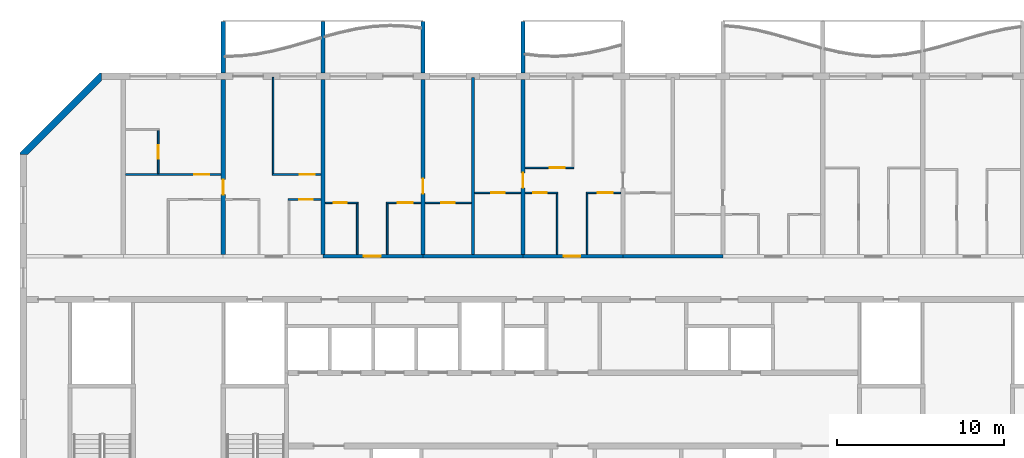
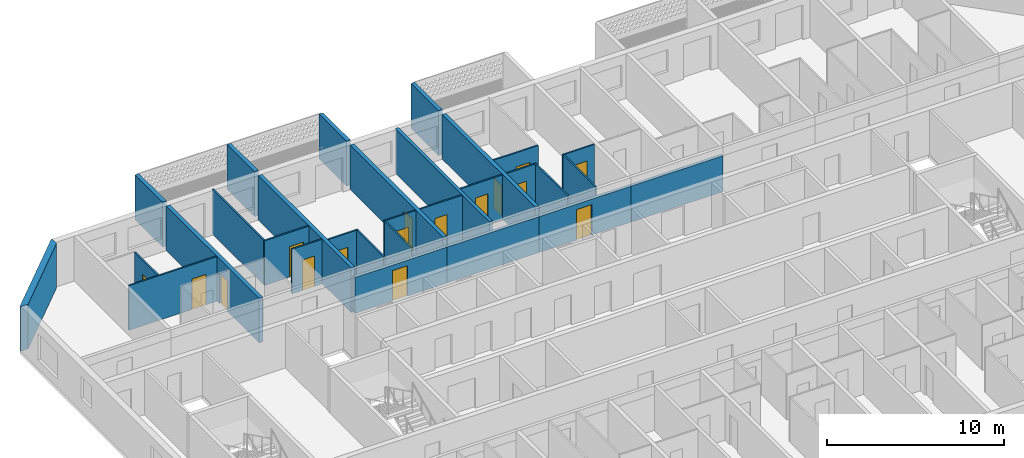
# One storey, part 8 of 26: 30 walls, 16 doors, 16 openings.
"""IFC4 building model written with IfcOpenShell, lengths in metres."""

from ifc_helpers import new_model, si_unit, direction, frame, frame_2d, origin, place, context, subcontext, project, spatial, polyline, rectangle, outline, extrude, source, transform, mapped, material, layer, layer_set, type_object, element, fill, save


model = new_model("IFC4")

# Units and contexts
model_context = context("Model", 3, precision=1e-05, world=origin(), true_north=direction((0.0, 1.0)))
body_context = subcontext(model_context, "Body", "Model", "MODEL_VIEW")
ifc_project = project(units=[si_unit("LENGTHUNIT", "METRE"), si_unit("AREAUNIT", "SQUARE_METRE"), si_unit("VOLUMEUNIT", "CUBIC_METRE"), si_unit("PLANEANGLEUNIT", "RADIAN"), si_unit("MASSUNIT", "GRAM", prefix="KILO")], contexts=[model_context])

# Site, building, storey
site_placement = place(None, origin())
site = spatial("IfcSite", under=ifc_project, at=site_placement, CompositionType="ELEMENT")
building_placement = place(site_placement, origin())
building = spatial("IfcBuilding", under=site, at=building_placement, Name="Poui Terraces", CompositionType="ELEMENT")
storey_placement = place(building_placement, frame((0.0, 0.0, 224.699951171875)))
storey = spatial("IfcBuildingStorey", under=building, at=storey_placement, Name="L62", CompositionType="ELEMENT", Elevation=224.699951171875)

# Wall, opening, door
ifc_material_1 = material(Name="Concrete 50 MPa", Category="concrete")
ifc_layer_1 = layer(ifc_material_1, 0.199951171875)
ifc_layer_set_1 = layer_set([ifc_layer_1], Name="Concrete 50 MPa")
wall_type_1 = type_object("IfcWallType", Name="CORRIDOR WALL 200 50MPa", PredefinedType="SHEAR", material=ifc_layer_set_1)
wall_1_placement = place(storey_placement, frame((36.0, 30.39990234375, 0.0), z_axis=(0.0, 0.0, 1.0), x_axis=(1.0, 0.0, 0.0)))
wall_1 = element("IfcWall", 1, at=wall_1_placement, inside=storey, type_object=wall_type_1, Name="CORRIDOR WALL LINE E BAY 4", PredefinedType="SHEAR", context=body_context, shape_type="SweptSolid", body=[
    extrude(rectangle(XDim=6.0, YDim=0.199951171875, at=frame_2d((3.0, 0.0))), origin(), (0.0, 0.0, 1.0), 2.47998046875),
])
opening_1_placement = place(wall_1_placement, frame((2.449951171875, 0.0, 0.0)))
opening_1 = element("IfcOpeningElement", 2, at=opening_1_placement, cuts=wall_1, Name="Opening FD30S", PredefinedType="OPENING", context=body_context, shape_type="SweptSolid", body=[
    extrude(rectangle(XDim=1.0, YDim=2.10009765625, at=frame_2d((0.5, 1.050048828125))), frame((0.0, 0.10986328125, 0.0), z_axis=(0.0, -1.0, 0.0), x_axis=(1.0, 0.0, 0.0)), (0.0, 0.0, 1.0), 0.219970703125),
])
ifc_material_2 = material(Name="Steel fire door", Category="steel")
door_type_1 = type_object("IfcDoorType", Name="FLAT ENTRANCE DOOR 1000 X 2100", OperationType="NOTDEFINED", PredefinedType="DOOR", material=ifc_material_2)
door_1_placement = place(opening_1_placement, origin())
door_1 = element("IfcDoor", 3, at=door_1_placement, inside=storey, type_object=door_type_1, Name="FLAT ENTRANCE DOOR 035", OperationType="SINGLE_SWING_LEFT", OverallHeight=2.10009765625, OverallWidth=1.0, PredefinedType="DOOR", context=body_context, shape_type="SweptSolid", body=[
    extrude(rectangle(XDim=1.0, YDim=2.10009765625, at=frame_2d((0.5, 1.050048828125))), frame((0.0, 0.02490234375, 0.0), z_axis=(0.0, -1.0, 0.0), x_axis=(1.0, 0.0, 0.0)), (0.0, 0.0, 1.0), 0.050048828125),
])
fill(opening_1, door_1)

# Wall
wall_2_placement = place(storey_placement, frame((42.0, 30.39990234375, 0.0), z_axis=(0.0, 0.0, 1.0), x_axis=(1.0, 0.0, 0.0)))
element("IfcWall", 4, at=wall_2_placement, inside=storey, type_object=wall_type_1, Name="CORRIDOR WALL LINE E BAY 5", PredefinedType="SHEAR", context=body_context, shape_type="SweptSolid", body=[
    extrude(rectangle(XDim=6.0, YDim=0.199951171875, at=frame_2d((3.0, 0.0))), origin(), (0.0, 0.0, 1.0), 2.47998046875),
])

# Wall, opening, door
wall_3_placement = place(storey_placement, frame((48.0, 30.39990234375, 0.0), z_axis=(0.0, 0.0, 1.0), x_axis=(1.0, 0.0, 0.0)))
wall_3 = element("IfcWall", 5, at=wall_3_placement, inside=storey, type_object=wall_type_1, Name="CORRIDOR WALL LINE E BAY 6", PredefinedType="SHEAR", context=body_context, shape_type="SweptSolid", body=[
    extrude(rectangle(XDim=6.0, YDim=0.199951171875, at=frame_2d((3.0, 0.0))), origin(), (0.0, 0.0, 1.0), 2.47998046875),
])
opening_2_placement = place(wall_3_placement, frame((2.449951171875, 0.0, 0.0)))
opening_2 = element("IfcOpeningElement", 6, at=opening_2_placement, cuts=wall_3, Name="Opening FD30S", PredefinedType="OPENING", context=body_context, shape_type="SweptSolid", body=[
    extrude(rectangle(XDim=1.0, YDim=2.10009765625, at=frame_2d((0.5, 1.050048828125))), frame((0.0, 0.10986328125, 0.0), z_axis=(0.0, -1.0, 0.0), x_axis=(1.0, 0.0, 0.0)), (0.0, 0.0, 1.0), 0.219970703125),
])
door_2_placement = place(opening_2_placement, origin())
door_2 = element("IfcDoor", 7, at=door_2_placement, inside=storey, type_object=door_type_1, Name="FLAT ENTRANCE DOOR 043", OperationType="SINGLE_SWING_LEFT", OverallHeight=2.10009765625, OverallWidth=1.0, PredefinedType="DOOR", context=body_context, shape_type="SweptSolid", body=[
    extrude(rectangle(XDim=1.0, YDim=2.10009765625, at=frame_2d((0.5, 1.050048828125))), frame((0.0, 0.02490234375, 0.0), z_axis=(0.0, -1.0, 0.0), x_axis=(1.0, 0.0, 0.0)), (0.0, 0.0, 1.0), 0.050048828125),
])
fill(opening_2, door_2)

# Wall
wall_4_placement = place(storey_placement, frame((54.0, 30.39990234375, 0.0), z_axis=(0.0, 0.0, 1.0), x_axis=(1.0, 0.0, 0.0)))
element("IfcWall", 8, at=wall_4_placement, inside=storey, type_object=wall_type_1, Name="CORRIDOR WALL LINE E BAY 7", PredefinedType="SHEAR", context=body_context, shape_type="SweptSolid", body=[
    extrude(rectangle(XDim=6.0, YDim=0.199951171875, at=frame_2d((3.0, 0.0))), origin(), (0.0, 0.0, 1.0), 2.47998046875),
])

# Wall, opening, door
ifc_layer_2 = layer(ifc_material_1, 0.25)
ifc_layer_set_2 = layer_set([ifc_layer_2], Name="Concrete 50 MPa")
wall_type_2 = type_object("IfcWallType", Name="CROSS WALL 250 50MPa", PredefinedType="SHEAR", material=ifc_layer_set_2)
wall_5_placement = place(storey_placement, frame((30.0, 30.5, 0.0), z_axis=(0.0, 0.0, 1.0), x_axis=(0.0, 1.0, 0.0)))
wall_5 = element("IfcWall", 9, at=wall_5_placement, inside=storey, type_object=wall_type_2, Name="CROSS WALL LINE 6 NORTH", PredefinedType="SHEAR", context=body_context, shape_type="SweptSolid", body=[
    extrude(rectangle(XDim=10.5, YDim=0.25, at=frame_2d((5.25, 0.0))), origin(), (0.0, 0.0, 1.0), 3.080078125),
])
opening_3_placement = place(wall_5_placement, frame((3.60009765625, 0.0, 0.0)))
opening_3 = element("IfcOpeningElement", 10, at=opening_3_placement, cuts=wall_5, Name="Opening D90", PredefinedType="OPENING", context=body_context, shape_type="SweptSolid", body=[
    extrude(rectangle(XDim=0.89990234375, YDim=2.10009765625, at=frame_2d((0.449951171875, 1.050048828125))), frame((0.0, 0.135009765625, 0.0), z_axis=(0.0, -1.0, 0.0), x_axis=(1.0, 0.0, 0.0)), (0.0, 0.0, 1.0), 0.27001953125),
])
ifc_material_3 = material(Name="Solid core timber door", Category="wood")
door_type_2 = type_object("IfcDoorType", Name="INTERNAL DOOR 900 X 2100", OperationType="NOTDEFINED", PredefinedType="DOOR", material=ifc_material_3)
door_3_placement = place(opening_3_placement, frame((0.89990234375, 0.0, 0.0), z_axis=(0.0, 0.0, 1.0), x_axis=(-1.0, 0.0, 0.0)))
door_3 = element("IfcDoor", 11, at=door_3_placement, inside=storey, type_object=door_type_2, Name="INTERNAL DOOR 027", OperationType="SINGLE_SWING_RIGHT", OverallHeight=2.10009765625, OverallWidth=0.89990234375, PredefinedType="DOOR", context=body_context, shape_type="SweptSolid", body=[
    extrude(rectangle(XDim=0.89990234375, YDim=2.10009765625, at=frame_2d((0.449951171875, 1.050048828125))), frame((0.0, 0.02490234375, 0.0), z_axis=(0.0, -1.0, 0.0), x_axis=(1.0, 0.0, 0.0)), (0.0, 0.0, 1.0), 0.050048828125),
])
fill(opening_3, door_3)

# Wall
wall_6_placement = place(storey_placement, frame((36.0, 30.5, 0.0), z_axis=(0.0, 0.0, 1.0), x_axis=(0.0, 1.0, 0.0)))
element("IfcWall", 12, at=wall_6_placement, inside=storey, type_object=wall_type_2, Name="CROSS WALL LINE 7 NORTH", PredefinedType="SHEAR", context=body_context, shape_type="SweptSolid", body=[
    extrude(rectangle(XDim=10.5, YDim=0.25, at=frame_2d((5.25, 0.0))), origin(), (0.0, 0.0, 1.0), 3.080078125),
])

# Wall, opening, door
wall_7_placement = place(storey_placement, frame((42.0, 30.5, 0.0), z_axis=(0.0, 0.0, 1.0), x_axis=(0.0, 1.0, 0.0)))
wall_7 = element("IfcWall", 13, at=wall_7_placement, inside=storey, type_object=wall_type_2, Name="CROSS WALL LINE 8 NORTH", PredefinedType="SHEAR", context=body_context, shape_type="SweptSolid", body=[
    extrude(rectangle(XDim=10.5, YDim=0.25, at=frame_2d((5.25, 0.0))), origin(), (0.0, 0.0, 1.0), 3.080078125),
])
opening_4_placement = place(wall_7_placement, frame((3.64990234375, 0.0, 0.0)))
opening_4 = element("IfcOpeningElement", 14, at=opening_4_placement, cuts=wall_7, Name="Opening D90", PredefinedType="OPENING", context=body_context, shape_type="SweptSolid", body=[
    extrude(rectangle(XDim=0.89990234375, YDim=2.10009765625, at=frame_2d((0.449951171875, 1.050048828125))), frame((0.0, 0.135009765625, 0.0), z_axis=(0.0, -1.0, 0.0), x_axis=(1.0, 0.0, 0.0)), (0.0, 0.0, 1.0), 0.27001953125),
])
door_4_placement = place(opening_4_placement, frame((0.89990234375, 0.0, 0.0), z_axis=(0.0, 0.0, 1.0), x_axis=(-1.0, 0.0, 0.0)))
door_4 = element("IfcDoor", 15, at=door_4_placement, inside=storey, type_object=door_type_2, Name="INTERNAL DOOR 037", OperationType="SINGLE_SWING_RIGHT", OverallHeight=2.10009765625, OverallWidth=0.89990234375, PredefinedType="DOOR", context=body_context, shape_type="SweptSolid", body=[
    extrude(rectangle(XDim=0.89990234375, YDim=2.10009765625, at=frame_2d((0.449951171875, 1.050048828125))), frame((0.0, 0.02490234375, 0.0), z_axis=(0.0, -1.0, 0.0), x_axis=(1.0, 0.0, 0.0)), (0.0, 0.0, 1.0), 0.050048828125),
])
fill(opening_4, door_4)

wall_8_placement = place(storey_placement, frame((48.0, 30.5, 0.0), z_axis=(0.0, 0.0, 1.0), x_axis=(0.0, 1.0, 0.0)))
wall_8 = element("IfcWall", 16, at=wall_8_placement, inside=storey, type_object=wall_type_2, Name="CROSS WALL LINE 9 NORTH", PredefinedType="SHEAR", context=body_context, shape_type="SweptSolid", body=[
    extrude(rectangle(XDim=10.5, YDim=0.25, at=frame_2d((5.25, 0.0))), origin(), (0.0, 0.0, 1.0), 3.080078125),
])
opening_5_placement = place(wall_8_placement, frame((4.0, 0.0, 0.0)))
opening_5 = element("IfcOpeningElement", 17, at=opening_5_placement, cuts=wall_8, Name="Opening D90", PredefinedType="OPENING", context=body_context, shape_type="SweptSolid", body=[
    extrude(rectangle(XDim=0.89990234375, YDim=2.10009765625, at=frame_2d((0.449951171875, 1.050048828125))), frame((0.0, 0.135009765625, 0.0), z_axis=(0.0, -1.0, 0.0), x_axis=(1.0, 0.0, 0.0)), (0.0, 0.0, 1.0), 0.27001953125),
])
door_5_placement = place(opening_5_placement, origin())
door_5 = element("IfcDoor", 18, at=door_5_placement, inside=storey, type_object=door_type_2, Name="INTERNAL DOOR 040", OperationType="SINGLE_SWING_LEFT", OverallHeight=2.10009765625, OverallWidth=0.89990234375, PredefinedType="DOOR", context=body_context, shape_type="SweptSolid", body=[
    extrude(rectangle(XDim=0.89990234375, YDim=2.10009765625, at=frame_2d((0.449951171875, 1.050048828125))), frame((0.0, 0.02490234375, 0.0), z_axis=(0.0, -1.0, 0.0), x_axis=(1.0, 0.0, 0.0)), (0.0, 0.0, 1.0), 0.050048828125),
])
fill(opening_5, door_5)

ifc_material_4 = material(Name="Plasterboard partition")
ifc_layer_3 = layer(ifc_material_4, 0.10009765625)
ifc_layer_set_3 = layer_set([ifc_layer_3], Name="Plasterboard partition")
wall_type_3 = type_object("IfcWallType", Name="FLAT PARTITION 100", PredefinedType="PARTITIONING", material=ifc_layer_set_3)
wall_9_placement = place(storey_placement, frame((36.135009765625, 33.60009765625, 0.0), z_axis=(0.0, 0.0, 1.0), x_axis=(1.0, 0.0, 0.0)))
wall_9 = element("IfcWall", 19, at=wall_9_placement, inside=storey, type_object=wall_type_3, Name="FLAT PARTITION 100", PredefinedType="PARTITIONING", context=body_context, shape_type="SweptSolid", body=[
    extrude(rectangle(XDim=1.965087890625, YDim=0.10009765625, at=frame_2d((0.982421875, 0.0))), origin(), (0.0, 0.0, 1.0), 3.080078125),
])
opening_6_placement = place(wall_9_placement, frame((0.489990234375, 0.0, 0.0)))
opening_6 = element("IfcOpeningElement", 20, at=opening_6_placement, cuts=wall_9, Name="Opening D80", PredefinedType="OPENING", context=body_context, shape_type="SweptSolid", body=[
    extrude(rectangle(XDim=0.800048828125, YDim=2.10009765625, at=frame_2d((0.39990234375, 1.050048828125))), frame((0.0, 0.06005859375, 0.0), z_axis=(0.0, -1.0, 0.0), x_axis=(1.0, 0.0, 0.0)), (0.0, 0.0, 1.0), 0.1201171875),
])
door_type_3 = type_object("IfcDoorType", Name="BATHROOM, LAUNDRY AND STORE DOOR 800 X 2100", OperationType="NOTDEFINED", PredefinedType="DOOR", material=ifc_material_3)
door_6_placement = place(opening_6_placement, frame((0.800048828125, 0.0, 0.0), z_axis=(0.0, 0.0, 1.0), x_axis=(-1.0, 0.0, 0.0)))
door_6 = element("IfcDoor", 21, at=door_6_placement, inside=storey, type_object=door_type_3, Name="BATHROOM, LAUNDRY AND STORE DOOR 034", OperationType="SINGLE_SWING_LEFT", OverallHeight=2.10009765625, OverallWidth=0.800048828125, PredefinedType="DOOR", context=body_context, shape_type="SweptSolid", body=[
    extrude(rectangle(XDim=0.800048828125, YDim=2.10009765625, at=frame_2d((0.39990234375, 1.050048828125))), frame((0.0, 0.02490234375, 0.0), z_axis=(0.0, -1.0, 0.0), x_axis=(1.0, 0.0, 0.0)), (0.0, 0.0, 1.0), 0.050048828125),
])
fill(opening_6, door_6)

wall_10_placement = place(storey_placement, frame((39.800048828125, 33.60009765625, 0.0), z_axis=(0.0, 0.0, 1.0), x_axis=(1.0, 0.0, 0.0)))
wall_10 = element("IfcWall", 22, at=wall_10_placement, inside=storey, type_object=wall_type_3, Name="FLAT PARTITION 100", PredefinedType="PARTITIONING", context=body_context, shape_type="SweptSolid", body=[
    extrude(rectangle(XDim=2.06494140625, YDim=0.10009765625, at=frame_2d((1.032470703125, 0.0))), origin(), (0.0, 0.0, 1.0), 3.080078125),
])
opening_7_placement = place(wall_10_placement, frame((0.675048828125, 0.0, 0.0)))
opening_7 = element("IfcOpeningElement", 23, at=opening_7_placement, cuts=wall_10, Name="Opening D90", PredefinedType="OPENING", context=body_context, shape_type="SweptSolid", body=[
    extrude(rectangle(XDim=0.89990234375, YDim=2.10009765625, at=frame_2d((0.449951171875, 1.050048828125))), frame((0.0, 0.06005859375, 0.0), z_axis=(0.0, -1.0, 0.0), x_axis=(1.0, 0.0, 0.0)), (0.0, 0.0, 1.0), 0.1201171875),
])
door_7_placement = place(opening_7_placement, frame((0.89990234375, 0.0, 0.0), z_axis=(0.0, 0.0, 1.0), x_axis=(-1.0, 0.0, 0.0)))
door_7 = element("IfcDoor", 24, at=door_7_placement, inside=storey, type_object=door_type_2, Name="INTERNAL DOOR 036", OperationType="SINGLE_SWING_RIGHT", OverallHeight=2.10009765625, OverallWidth=0.89990234375, PredefinedType="DOOR", context=body_context, shape_type="SweptSolid", body=[
    extrude(rectangle(XDim=0.89990234375, YDim=2.10009765625, at=frame_2d((0.449951171875, 1.050048828125))), frame((0.0, 0.02490234375, 0.0), z_axis=(0.0, -1.0, 0.0), x_axis=(1.0, 0.0, 0.0)), (0.0, 0.0, 1.0), 0.050048828125),
])
fill(opening_7, door_7)

wall_11_placement = place(storey_placement, frame((42.135009765625, 33.60009765625, 0.0), z_axis=(0.0, 0.0, 1.0), x_axis=(1.0, 0.0, 0.0)))
wall_11 = element("IfcWall", 25, at=wall_11_placement, inside=storey, type_object=wall_type_3, Name="FLAT PARTITION 100", PredefinedType="PARTITIONING", context=body_context, shape_type="SweptSolid", body=[
    extrude(rectangle(XDim=2.764892578125, YDim=0.10009765625, at=frame_2d((1.38232421875, 0.0))), origin(), (0.0, 0.0, 1.0), 3.080078125),
])
opening_8_placement = place(wall_11_placement, frame((0.965087890625, 0.0, 0.0)))
opening_8 = element("IfcOpeningElement", 26, at=opening_8_placement, cuts=wall_11, Name="Opening D80", PredefinedType="OPENING", context=body_context, shape_type="SweptSolid", body=[
    extrude(rectangle(XDim=0.800048828125, YDim=2.10009765625, at=frame_2d((0.39990234375, 1.050048828125))), frame((0.0, 0.06005859375, 0.0), z_axis=(0.0, -1.0, 0.0), x_axis=(1.0, 0.0, 0.0)), (0.0, 0.0, 1.0), 0.1201171875),
])
door_8_placement = place(opening_8_placement, frame((0.800048828125, 0.0, 0.0), z_axis=(0.0, 0.0, 1.0), x_axis=(-1.0, 0.0, 0.0)))
door_8 = element("IfcDoor", 27, at=door_8_placement, inside=storey, type_object=door_type_3, Name="BATHROOM, LAUNDRY AND STORE DOOR 033", OperationType="SINGLE_SWING_RIGHT", OverallHeight=2.10009765625, OverallWidth=0.800048828125, PredefinedType="DOOR", context=body_context, shape_type="SweptSolid", body=[
    extrude(rectangle(XDim=0.800048828125, YDim=2.10009765625, at=frame_2d((0.39990234375, 1.050048828125))), frame((0.0, 0.02490234375, 0.0), z_axis=(0.0, -1.0, 0.0), x_axis=(1.0, 0.0, 0.0)), (0.0, 0.0, 1.0), 0.050048828125),
])
fill(opening_8, door_8)

wall_12_placement = place(storey_placement, frame((33.89990234375, 33.800048828125, 0.0), z_axis=(0.0, 0.0, 1.0), x_axis=(1.0, 0.0, 0.0)))
wall_12 = element("IfcWall", 28, at=wall_12_placement, inside=storey, type_object=wall_type_3, Name="FLAT PARTITION 100", PredefinedType="PARTITIONING", context=body_context, shape_type="SweptSolid", body=[
    extrude(rectangle(XDim=1.965087890625, YDim=0.10009765625, at=frame_2d((0.982421875, 0.0))), origin(), (0.0, 0.0, 1.0), 3.080078125),
])
opening_9_placement = place(wall_12_placement, frame((0.675048828125, 0.0, 0.0)))
opening_9 = element("IfcOpeningElement", 29, at=opening_9_placement, cuts=wall_12, Name="Opening D80", PredefinedType="OPENING", context=body_context, shape_type="SweptSolid", body=[
    extrude(rectangle(XDim=0.800048828125, YDim=2.10009765625, at=frame_2d((0.39990234375, 1.050048828125))), frame((0.0, 0.06005859375, 0.0), z_axis=(0.0, -1.0, 0.0), x_axis=(1.0, 0.0, 0.0)), (0.0, 0.0, 1.0), 0.1201171875),
])
door_9_placement = place(opening_9_placement, frame((0.800048828125, 0.0, 0.0), z_axis=(0.0, 0.0, 1.0), x_axis=(-1.0, 0.0, 0.0)))
door_9 = element("IfcDoor", 30, at=door_9_placement, inside=storey, type_object=door_type_3, Name="BATHROOM, LAUNDRY AND STORE DOOR 030", OperationType="SINGLE_SWING_LEFT", OverallHeight=2.10009765625, OverallWidth=0.800048828125, PredefinedType="DOOR", context=body_context, shape_type="SweptSolid", body=[
    extrude(rectangle(XDim=0.800048828125, YDim=2.10009765625, at=frame_2d((0.39990234375, 1.050048828125))), frame((0.0, 0.02490234375, 0.0), z_axis=(0.0, -1.0, 0.0), x_axis=(1.0, 0.0, 0.0)), (0.0, 0.0, 1.0), 0.050048828125),
])
fill(opening_9, door_9)

wall_13_placement = place(storey_placement, frame((45.10009765625, 34.199951171875, 0.0), z_axis=(0.0, 0.0, 1.0), x_axis=(1.0, 0.0, 0.0)))
wall_13 = element("IfcWall", 31, at=wall_13_placement, inside=storey, type_object=wall_type_3, Name="FLAT PARTITION 100", PredefinedType="PARTITIONING", context=body_context, shape_type="SweptSolid", body=[
    extrude(rectangle(XDim=2.764892578125, YDim=0.10009765625, at=frame_2d((1.38232421875, 0.0))), origin(), (0.0, 0.0, 1.0), 3.080078125),
])
opening_10_placement = place(wall_13_placement, frame((1.0, 0.0, 0.0)))
opening_10 = element("IfcOpeningElement", 32, at=opening_10_placement, cuts=wall_13, Name="Opening D80", PredefinedType="OPENING", context=body_context, shape_type="SweptSolid", body=[
    extrude(rectangle(XDim=0.800048828125, YDim=2.10009765625, at=frame_2d((0.39990234375, 1.050048828125))), frame((0.0, 0.06005859375, 0.0), z_axis=(0.0, -1.0, 0.0), x_axis=(1.0, 0.0, 0.0)), (0.0, 0.0, 1.0), 0.1201171875),
])
door_10_placement = place(opening_10_placement, frame((0.800048828125, 0.0, 0.0), z_axis=(0.0, 0.0, 1.0), x_axis=(-1.0, 0.0, 0.0)))
door_10 = element("IfcDoor", 33, at=door_10_placement, inside=storey, type_object=door_type_3, Name="BATHROOM, LAUNDRY AND STORE DOOR 038", OperationType="SINGLE_SWING_LEFT", OverallHeight=2.10009765625, OverallWidth=0.800048828125, PredefinedType="DOOR", context=body_context, shape_type="SweptSolid", body=[
    extrude(rectangle(XDim=0.800048828125, YDim=2.10009765625, at=frame_2d((0.39990234375, 1.050048828125))), frame((0.0, 0.02490234375, 0.0), z_axis=(0.0, -1.0, 0.0), x_axis=(1.0, 0.0, 0.0)), (0.0, 0.0, 1.0), 0.050048828125),
])
fill(opening_10, door_10)

wall_14_placement = place(storey_placement, frame((48.135009765625, 34.199951171875, 0.0), z_axis=(0.0, 0.0, 1.0), x_axis=(1.0, 0.0, 0.0)))
wall_14 = element("IfcWall", 34, at=wall_14_placement, inside=storey, type_object=wall_type_3, Name="FLAT PARTITION 100", PredefinedType="PARTITIONING", context=body_context, shape_type="SweptSolid", body=[
    extrude(rectangle(XDim=1.965087890625, YDim=0.10009765625, at=frame_2d((0.982421875, 0.0))), origin(), (0.0, 0.0, 1.0), 3.080078125),
])
opening_11_placement = place(wall_14_placement, frame((0.489990234375, 0.0, 0.0)))
opening_11 = element("IfcOpeningElement", 35, at=opening_11_placement, cuts=wall_14, Name="Opening D80", PredefinedType="OPENING", context=body_context, shape_type="SweptSolid", body=[
    extrude(rectangle(XDim=0.800048828125, YDim=2.10009765625, at=frame_2d((0.39990234375, 1.050048828125))), frame((0.0, 0.06005859375, 0.0), z_axis=(0.0, -1.0, 0.0), x_axis=(1.0, 0.0, 0.0)), (0.0, 0.0, 1.0), 0.1201171875),
])
door_11_placement = place(opening_11_placement, frame((0.800048828125, 0.0, 0.0), z_axis=(0.0, 0.0, 1.0), x_axis=(-1.0, 0.0, 0.0)))
door_11 = element("IfcDoor", 36, at=door_11_placement, inside=storey, type_object=door_type_3, Name="BATHROOM, LAUNDRY AND STORE DOOR 041", OperationType="SINGLE_SWING_LEFT", OverallHeight=2.10009765625, OverallWidth=0.800048828125, PredefinedType="DOOR", context=body_context, shape_type="SweptSolid", body=[
    extrude(rectangle(XDim=0.800048828125, YDim=2.10009765625, at=frame_2d((0.39990234375, 1.050048828125))), frame((0.0, 0.02490234375, 0.0), z_axis=(0.0, -1.0, 0.0), x_axis=(1.0, 0.0, 0.0)), (0.0, 0.0, 1.0), 0.050048828125),
])
fill(opening_11, door_11)

wall_15_placement = place(storey_placement, frame((51.800048828125, 34.199951171875, 0.0), z_axis=(0.0, 0.0, 1.0), x_axis=(1.0, 0.0, 0.0)))
wall_15 = element("IfcWall", 37, at=wall_15_placement, inside=storey, type_object=wall_type_3, Name="FLAT PARTITION 100", PredefinedType="PARTITIONING", context=body_context, shape_type="SweptSolid", body=[
    extrude(rectangle(XDim=2.06494140625, YDim=0.10009765625, at=frame_2d((1.032470703125, 0.0))), origin(), (0.0, 0.0, 1.0), 3.080078125),
])
opening_12_placement = place(wall_15_placement, frame((0.675048828125, 0.0, 0.0)))
opening_12 = element("IfcOpeningElement", 38, at=opening_12_placement, cuts=wall_15, Name="Opening D90", PredefinedType="OPENING", context=body_context, shape_type="SweptSolid", body=[
    extrude(rectangle(XDim=0.89990234375, YDim=2.10009765625, at=frame_2d((0.449951171875, 1.050048828125))), frame((0.0, 0.06005859375, 0.0), z_axis=(0.0, -1.0, 0.0), x_axis=(1.0, 0.0, 0.0)), (0.0, 0.0, 1.0), 0.1201171875),
])
door_12_placement = place(opening_12_placement, frame((0.89990234375, 0.0, 0.0), z_axis=(0.0, 0.0, 1.0), x_axis=(-1.0, 0.0, 0.0)))
door_12 = element("IfcDoor", 39, at=door_12_placement, inside=storey, type_object=door_type_2, Name="INTERNAL DOOR 044", OperationType="SINGLE_SWING_RIGHT", OverallHeight=2.10009765625, OverallWidth=0.89990234375, PredefinedType="DOOR", context=body_context, shape_type="SweptSolid", body=[
    extrude(rectangle(XDim=0.89990234375, YDim=2.10009765625, at=frame_2d((0.449951171875, 1.050048828125))), frame((0.0, 0.02490234375, 0.0), z_axis=(0.0, -1.0, 0.0), x_axis=(1.0, 0.0, 0.0)), (0.0, 0.0, 1.0), 0.050048828125),
])
fill(opening_12, door_12)

wall_16_placement = place(storey_placement, frame((24.135009765625, 35.300048828125, 0.0), z_axis=(0.0, 0.0, 1.0), x_axis=(1.0, 0.0, 0.0)))
wall_16 = element("IfcWall", 40, at=wall_16_placement, inside=storey, type_object=wall_type_3, Name="FLAT PARTITION 100", PredefinedType="PARTITIONING", context=body_context, shape_type="SweptSolid", body=[
    extrude(rectangle(XDim=5.72998046875, YDim=0.10009765625, at=frame_2d((2.864990234375, 0.0))), origin(), (0.0, 0.0, 1.0), 3.080078125),
])
opening_13_placement = place(wall_16_placement, frame((4.114990234375, 0.0, 0.0)))
opening_13 = element("IfcOpeningElement", 41, at=opening_13_placement, cuts=wall_16, Name="Opening D90", PredefinedType="OPENING", context=body_context, shape_type="SweptSolid", body=[
    extrude(rectangle(XDim=0.89990234375, YDim=2.10009765625, at=frame_2d((0.449951171875, 1.050048828125))), frame((0.0, 0.06005859375, 0.0), z_axis=(0.0, -1.0, 0.0), x_axis=(1.0, 0.0, 0.0)), (0.0, 0.0, 1.0), 0.1201171875),
])
door_13_placement = place(opening_13_placement, origin())
door_13 = element("IfcDoor", 42, at=door_13_placement, inside=storey, type_object=door_type_2, Name="INTERNAL DOOR 026", OperationType="SINGLE_SWING_RIGHT", OverallHeight=2.10009765625, OverallWidth=0.89990234375, PredefinedType="DOOR", context=body_context, shape_type="SweptSolid", body=[
    extrude(rectangle(XDim=0.89990234375, YDim=2.10009765625, at=frame_2d((0.449951171875, 1.050048828125))), frame((0.0, 0.02490234375, 0.0), z_axis=(0.0, -1.0, 0.0), x_axis=(1.0, 0.0, 0.0)), (0.0, 0.0, 1.0), 0.050048828125),
])
fill(opening_13, door_13)

wall_17_placement = place(storey_placement, frame((32.949951171875, 35.300048828125, 0.0), z_axis=(0.0, 0.0, 1.0), x_axis=(1.0, 0.0, 0.0)))
wall_17 = element("IfcWall", 43, at=wall_17_placement, inside=storey, type_object=wall_type_3, Name="FLAT PARTITION 100", PredefinedType="PARTITIONING", context=body_context, shape_type="SweptSolid", body=[
    extrude(rectangle(XDim=2.9150390625, YDim=0.10009765625, at=frame_2d((1.45751953125, 0.0))), origin(), (0.0, 0.0, 1.0), 3.080078125),
])
opening_14_placement = place(wall_17_placement, frame((1.64990234375, 0.0, 0.0)))
opening_14 = element("IfcOpeningElement", 44, at=opening_14_placement, cuts=wall_17, Name="Opening D90", PredefinedType="OPENING", context=body_context, shape_type="SweptSolid", body=[
    extrude(rectangle(XDim=0.89990234375, YDim=2.10009765625, at=frame_2d((0.449951171875, 1.050048828125))), frame((0.0, 0.06005859375, 0.0), z_axis=(0.0, -1.0, 0.0), x_axis=(1.0, 0.0, 0.0)), (0.0, 0.0, 1.0), 0.1201171875),
])
door_14_placement = place(opening_14_placement, frame((0.89990234375, 0.0, 0.0), z_axis=(0.0, 0.0, 1.0), x_axis=(-1.0, 0.0, 0.0)))
door_14 = element("IfcDoor", 45, at=door_14_placement, inside=storey, type_object=door_type_2, Name="INTERNAL DOOR 031", OperationType="SINGLE_SWING_RIGHT", OverallHeight=2.10009765625, OverallWidth=0.89990234375, PredefinedType="DOOR", context=body_context, shape_type="SweptSolid", body=[
    extrude(rectangle(XDim=0.89990234375, YDim=2.10009765625, at=frame_2d((0.449951171875, 1.050048828125))), frame((0.0, 0.02490234375, 0.0), z_axis=(0.0, -1.0, 0.0), x_axis=(1.0, 0.0, 0.0)), (0.0, 0.0, 1.0), 0.050048828125),
])
fill(opening_14, door_14)

wall_18_placement = place(storey_placement, frame((48.135009765625, 35.699951171875, 0.0), z_axis=(0.0, 0.0, 1.0), x_axis=(1.0, 0.0, 0.0)))
wall_18 = element("IfcWall", 46, at=wall_18_placement, inside=storey, type_object=wall_type_3, Name="FLAT PARTITION 100", PredefinedType="PARTITIONING", context=body_context, shape_type="SweptSolid", body=[
    extrude(rectangle(XDim=2.9150390625, YDim=0.10009765625, at=frame_2d((1.45751953125, 0.0))), origin(), (0.0, 0.0, 1.0), 3.080078125),
])
opening_15_placement = place(wall_18_placement, frame((1.465087890625, 0.0, 0.0)))
opening_15 = element("IfcOpeningElement", 47, at=opening_15_placement, cuts=wall_18, Name="Opening D90", PredefinedType="OPENING", context=body_context, shape_type="SweptSolid", body=[
    extrude(rectangle(XDim=0.89990234375, YDim=2.10009765625, at=frame_2d((0.449951171875, 1.050048828125))), frame((0.0, 0.06005859375, 0.0), z_axis=(0.0, -1.0, 0.0), x_axis=(1.0, 0.0, 0.0)), (0.0, 0.0, 1.0), 0.1201171875),
])
door_15_placement = place(opening_15_placement, frame((0.89990234375, 0.0, 0.0), z_axis=(0.0, 0.0, 1.0), x_axis=(-1.0, 0.0, 0.0)))
door_15 = element("IfcDoor", 48, at=door_15_placement, inside=storey, type_object=door_type_2, Name="INTERNAL DOOR 042", OperationType="SINGLE_SWING_RIGHT", OverallHeight=2.10009765625, OverallWidth=0.89990234375, PredefinedType="DOOR", context=body_context, shape_type="SweptSolid", body=[
    extrude(rectangle(XDim=0.89990234375, YDim=2.10009765625, at=frame_2d((0.449951171875, 1.050048828125))), frame((0.0, 0.02490234375, 0.0), z_axis=(0.0, -1.0, 0.0), x_axis=(1.0, 0.0, 0.0)), (0.0, 0.0, 1.0), 0.050048828125),
])
fill(opening_15, door_15)

wall_19_placement = place(storey_placement, frame((26.10009765625, 35.35009765625, 0.0), z_axis=(0.0, 0.0, 1.0), x_axis=(0.0, 1.0, 0.0)))
wall_19 = element("IfcWall", 49, at=wall_19_placement, inside=storey, type_object=wall_type_3, Name="FLAT PARTITION 100", PredefinedType="PARTITIONING", context=body_context, shape_type="SweptSolid", body=[
    extrude(rectangle(XDim=2.599853515625, YDim=0.10009765625, at=frame_2d((1.2998046875, 0.0))), origin(), (0.0, 0.0, 1.0), 3.080078125),
])
opening_16_placement = place(wall_19_placement, frame((0.89990234375, 0.0, 0.0)))
opening_16 = element("IfcOpeningElement", 50, at=opening_16_placement, cuts=wall_19, Name="Opening D80", PredefinedType="OPENING", context=body_context, shape_type="SweptSolid", body=[
    extrude(rectangle(XDim=0.800048828125, YDim=2.10009765625, at=frame_2d((0.39990234375, 1.050048828125))), frame((0.0, 0.06005859375, 0.0), z_axis=(0.0, -1.0, 0.0), x_axis=(1.0, 0.0, 0.0)), (0.0, 0.0, 1.0), 0.1201171875),
])
door_16_placement = place(opening_16_placement, origin())
door_16 = element("IfcDoor", 51, at=door_16_placement, inside=storey, type_object=door_type_3, Name="BATHROOM, LAUNDRY AND STORE DOOR 032", OperationType="SINGLE_SWING_RIGHT", OverallHeight=2.10009765625, OverallWidth=0.800048828125, PredefinedType="DOOR", context=body_context, shape_type="SweptSolid", body=[
    extrude(rectangle(XDim=0.800048828125, YDim=2.10009765625, at=frame_2d((0.39990234375, 1.050048828125))), frame((0.0, 0.02490234375, 0.0), z_axis=(0.0, -1.0, 0.0), x_axis=(1.0, 0.0, 0.0)), (0.0, 0.0, 1.0), 0.050048828125),
])
fill(opening_16, door_16)

# Walls
wall_20_placement = place(storey_placement, frame((33.0, 35.35009765625, 0.0), z_axis=(0.0, 0.0, 1.0), x_axis=(0.0, 1.0, 0.0)))
element("IfcWall", 52, at=wall_20_placement, inside=storey, type_object=wall_type_3, Name="FLAT PARTITION 100", PredefinedType="PARTITIONING", context=body_context, shape_type="SweptSolid", body=[
    extrude(rectangle(XDim=5.789794921875, YDim=0.10009765625, at=frame_2d((2.89501953125, 0.0))), origin(), (0.0, 0.0, 1.0), 3.080078125),
])
for number, where, z_axis, x_axis, name in (
    (53, (38.050048828125, 30.510009765625, 0.0), (0.0, 0.0, 1.0), (0.0, 1.0, 0.0), "FLAT PARTITION 100"),
    (54, (39.85009765625, 30.510009765625, 0.0), (0.0, 0.0, 1.0), (0.0, 1.0, 0.0), "FLAT PARTITION 100"),
):
    element("IfcWall", number, at=place(storey_placement, frame(where, z_axis=z_axis, x_axis=x_axis)), inside=storey, type_object=wall_type_3, Name=name, PredefinedType="PARTITIONING", context=body_context, shape_type="SweptSolid", body=[
        extrude(rectangle(XDim=3.0400390625, YDim=0.10009765625, at=frame_2d((1.52001953125, 0.0))), origin(), (0.0, 0.0, 1.0), 3.080078125),
    ])
for number, where, z_axis, x_axis, name in (
    (55, (50.050048828125, 30.510009765625, 0.0), (0.0, 0.0, 1.0), (0.0, 1.0, 0.0), "FLAT PARTITION 100"),
    (56, (51.85009765625, 30.510009765625, 0.0), (0.0, 0.0, 1.0), (0.0, 1.0, 0.0), "FLAT PARTITION 100"),
):
    element("IfcWall", number, at=place(storey_placement, frame(where, z_axis=z_axis, x_axis=x_axis)), inside=storey, type_object=wall_type_3, Name=name, PredefinedType="PARTITIONING", context=body_context, shape_type="SweptSolid", body=[
        extrude(rectangle(XDim=3.639892578125, YDim=0.10009765625, at=frame_2d((1.81982421875, 0.0))), origin(), (0.0, 0.0, 1.0), 3.080078125),
    ])
ifc_material_5 = material(Name="Fire-rated masonry wall", Category="masonry")
ifc_layer_4 = layer(ifc_material_5, 0.199951171875)
ifc_layer_set_4 = layer_set([ifc_layer_4], Name="Fire-rated masonry wall")
wall_type_4 = type_object("IfcWallType", Name="FLAT PARTY WALL 200", PredefinedType="PARTITIONING", material=ifc_layer_set_4)
wall_21_placement = place(storey_placement, frame((45.0, 30.510009765625, 0.0), z_axis=(0.0, 0.0, 1.0), x_axis=(0.0, 1.0, 0.0)))
element("IfcWall", 57, at=wall_21_placement, inside=storey, type_object=wall_type_4, Name="FLAT PARTY WALL 200", PredefinedType="PARTITIONING", context=body_context, shape_type="SweptSolid", body=[
    extrude(rectangle(XDim=10.6298828125, YDim=0.199951171875, at=frame_2d((5.31494140625, 0.0))), origin(), (0.0, 0.0, 1.0), 3.080078125),
])
ifc_material_6 = material(Name="Precast concrete 40 MPa", Category="concrete")
ifc_layer_5 = layer(ifc_material_6, 0.39990234375)
ifc_layer_set_5 = layer_set([ifc_layer_5], Name="Precast concrete 40 MPa")
wall_type_5 = type_object("IfcWallType", Name="TERRACOTTA CLAD CHAMFER WALL 400", PredefinedType="STANDARD", material=ifc_layer_set_5)
wall_22_placement = place(storey_placement, origin())
element("IfcWall", 58, at=wall_22_placement, inside=storey, type_object=wall_type_5, Name="CHAMFER WALL CH05", PredefinedType="STANDARD", context=body_context, shape_type="SweptSolid", body=[
    extrude(outline(polyline([(22.682861328125, 41.39990234375), (22.60009765625, 41.39990234375), (17.800048828125, 36.60009765625), (17.800048828125, 36.51708984375), (18.28271484375, 36.51708984375), (22.682861328125, 40.917236328125), (22.682861328125, 41.39990234375)])), origin(), (0.0, 0.0, 1.0), 3.080078125),
])
ifc_layer_6 = layer(ifc_material_6, 0.25)
ifc_layer_set_6 = layer_set([ifc_layer_6], Name="Precast concrete 40 MPa")
wall_type_6 = type_object("IfcWallType", Name="BALCONY FIN 250", PredefinedType="STANDARD", material=ifc_layer_set_6)
shared_shape = source(origin(), body_context, "Body", "SweptSolid", [
    extrude(outline(polyline([(0.0, 0.0), (0.25, 0.0), (0.25, 3.10009765625), (0.0, 3.10009765625), (0.0, 0.0)])), origin(), (0.0, 0.0, 1.0), 3.10009765625),
])
for number, where, name in (
    (59, (29.875, 41.39990234375, 0.0), "BALCONY FIN"),
    (60, (35.875, 41.39990234375, 0.0), "BALCONY FIN"),
    (61, (41.875, 41.39990234375, 0.0), "BALCONY FIN"),
    (62, (47.875, 41.39990234375, 0.0), "BALCONY FIN"),
):
    element("IfcWall", number, at=place(storey_placement, frame(where)), inside=storey, type_object=wall_type_6, Name=name, PredefinedType="STANDARD", context=body_context, shape_type="MappedRepresentation", body=[
        mapped(shared_shape, transform((0.0, 0.0, 0.0))),
    ])

save(model, "model.ifc")
